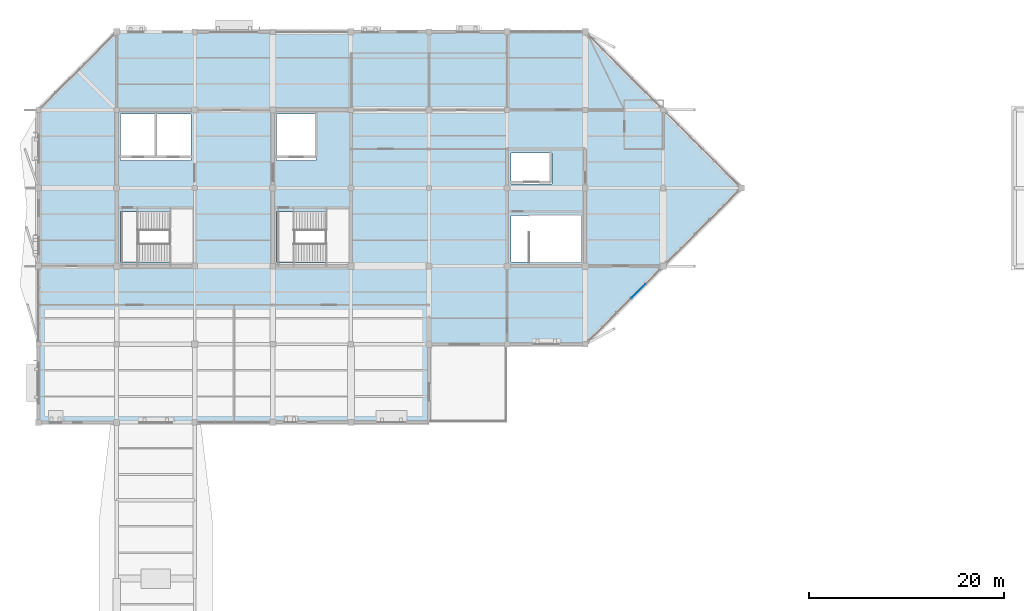
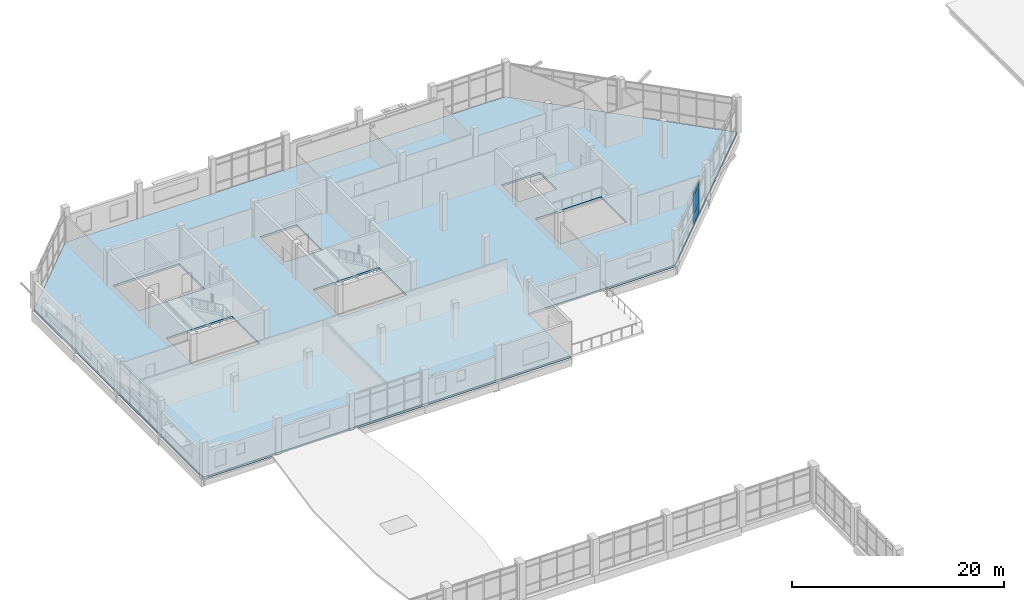
# One storey, part 54 of 72: 3 plates, 1 slab, 1 element without a shape of its own.
"""IFC4 building model written with IfcOpenShell, lengths in metres."""

from ifc_helpers import new_model, si_unit, direction, frame, origin, origin_2d, place, context, subcontext, project, spatial, polyline, rectangle, outline, extrude, material, layer, layer_set, type_object, element, aggregate, save


model = new_model("IFC4")

# Units and contexts
model_context = context("Model", 3, precision=1e-05, world=origin(), true_north=direction((0.0, 1.0)))
body_context = subcontext(model_context, "Body", "Model", "MODEL_VIEW")
ifc_project = project(units=[si_unit("LENGTHUNIT", "METRE"), si_unit("AREAUNIT", "SQUARE_METRE"), si_unit("VOLUMEUNIT", "CUBIC_METRE"), si_unit("PLANEANGLEUNIT", "RADIAN"), si_unit("MASSUNIT", "GRAM", prefix="KILO")], contexts=[model_context])

# Site, building, storey
site_placement = place(None, origin())
site = spatial("IfcSite", under=ifc_project, at=site_placement, CompositionType="ELEMENT")
building_placement = place(site_placement, origin())
building = spatial("IfcBuilding", under=site, at=building_placement, Name="Tenunan Teduh Sports Hall", CompositionType="ELEMENT")
storey_placement = place(building_placement, frame((0.0, 0.0, 15.0)))
storey = spatial("IfcBuildingStorey", under=building, at=storey_placement, Name="L03", CompositionType="ELEMENT", Elevation=15.0)

# Curtain wall, plates
ifc_material_1 = material(Name="Anodised aluminium", Category="aluminium")
curtain_wall_type = type_object("IfcCurtainWallType", Name="CW-UNIT-2", PredefinedType="NOTDEFINED", material=ifc_material_1)
curtain_wall_placement = place(storey_placement, origin())
curtain_wall = element("IfcCurtainWall", 1, at=curtain_wall_placement, inside=storey, type_object=curtain_wall_type, Name="CW-CWM-220-L03-221", PredefinedType="NOTDEFINED")
ifc_material_2 = material(Name="Solar-control laminated glazing", Category="glass")
ifc_layer_1 = layer(ifc_material_2, 0.031982421875)
ifc_layer_set_1 = layer_set([ifc_layer_1], Name="Solar-control laminated glazing")
plate_type_1 = type_object("IfcPlateType", Name="CWP-GLZ-32", PredefinedType="CURTAIN_PANEL", material=ifc_layer_set_1)
plate_1_placement = place(storey_placement, frame((67.44775390625, 91.44775390625, 1.137451171875), z_axis=(0.0, 0.0, 1.0), x_axis=(0.707101983943, 0.707111578398, 0.0)))
plate_1 = element("IfcPlate", 2, at=plate_1_placement, type_object=plate_type_1, Name="CW-02 panel 4.2", PredefinedType="CURTAIN_PANEL", context=body_context, shape_type="SweptSolid", body=[
    extrude(rectangle(XDim=2.009521484375, YDim=0.031982421875, at=origin_2d()), origin(), (0.0, 0.0, 1.0), 2.02490234375),
])
plate_2_placement = place(storey_placement, frame((67.44775390625, 91.44775390625, 3.237548828125), z_axis=(0.0, 0.0, 1.0), x_axis=(0.707101983943, 0.707111578398, 0.0)))
plate_2 = element("IfcPlate", 3, at=plate_2_placement, type_object=plate_type_1, Name="CW-02 panel 4.3", PredefinedType="CURTAIN_PANEL", context=body_context, shape_type="SweptSolid", body=[
    extrude(rectangle(XDim=2.009521484375, YDim=0.031982421875, at=origin_2d()), origin(), (0.0, 0.0, 1.0), 0.607421875),
])
ifc_material_3 = material(Name="Insulated aluminium spandrel panel", Category="aluminium")
ifc_layer_2 = layer(ifc_material_3, 0.044921875)
ifc_layer_set_2 = layer_set([ifc_layer_2], Name="Insulated aluminium spandrel panel")
plate_type_2 = type_object("IfcPlateType", Name="CWP-SPN-45", PredefinedType="CURTAIN_PANEL", material=ifc_layer_set_2)
plate_3_placement = place(storey_placement, frame((67.44775390625, 91.44775390625, 0.0751953125), z_axis=(0.0, 0.0, 1.0), x_axis=(0.707101983943, 0.707111578398, 0.0)))
plate_3 = element("IfcPlate", 4, at=plate_3_placement, type_object=plate_type_2, Name="CW-02 panel 4.1", PredefinedType="CURTAIN_PANEL", context=body_context, shape_type="SweptSolid", body=[
    extrude(rectangle(XDim=2.009521484375, YDim=0.031982421875, at=origin_2d()), origin(), (0.0, 0.0, 1.0), 0.987548828125),
])
aggregate(curtain_wall, [plate_3, plate_1, plate_2])

# Slab
ifc_material_4 = material(Name="Concrete C40/50", Category="concrete")
ifc_layer_3 = layer(ifc_material_4, 0.239990234375)
ifc_layer_set_3 = layer_set([ifc_layer_3], Name="Concrete C40/50")
slab_type = type_object("IfcSlabType", Name="SLB-FLR-240", PredefinedType="FLOOR", material=ifc_layer_set_3)
slab_placement = place(storey_placement, frame((0.0, 0.0, -0.239990234375)))
element("IfcSlab", 5, at=slab_placement, inside=storey, type_object=slab_type, Name="SL-L03-V5W", PredefinedType="FLOOR", context=body_context, shape_type="SweptSolid", body=[
    extrude(outline(polyline([(6.0, 78.0), (46.0, 78.0), (46.0, 86.0), (54.0, 86.0), (62.0, 86.0), (70.0, 94.0), (78.0, 102.0), (70.0, 110.0), (62.0, 118.0), (14.0, 118.0), (6.0, 110.0), (6.0, 78.0)]), holes=[polyline([(14.39990234375, 94.39990234375), (21.60009765625, 94.39990234375), (21.60009765625, 99.60009765625), (14.39990234375, 99.60009765625), (14.39990234375, 94.39990234375)]), polyline([(14.39990234375, 104.800048828125), (21.60009765625, 104.800048828125), (21.60009765625, 109.60009765625), (14.39990234375, 109.60009765625), (14.39990234375, 104.800048828125)]), polyline([(30.39990234375, 94.39990234375), (37.60009765625, 94.39990234375), (37.60009765625, 99.60009765625), (30.39990234375, 99.60009765625), (30.39990234375, 94.39990234375)]), polyline([(30.39990234375, 104.800048828125), (34.39990234375, 104.800048828125), (34.39990234375, 109.60009765625), (30.39990234375, 109.60009765625), (30.39990234375, 104.800048828125)]), polyline([(54.39990234375, 94.39990234375), (61.60009765625, 94.39990234375), (61.60009765625, 99.199951171875), (54.39990234375, 99.199951171875), (54.39990234375, 94.39990234375)]), polyline([(54.39990234375, 102.39990234375), (58.60009765625, 102.39990234375), (58.60009765625, 105.60009765625), (54.39990234375, 105.60009765625), (54.39990234375, 102.39990234375)])]), origin(), (0.0, 0.0, 1.0), 0.239990234375),
])

save(model, "model.ifc")
